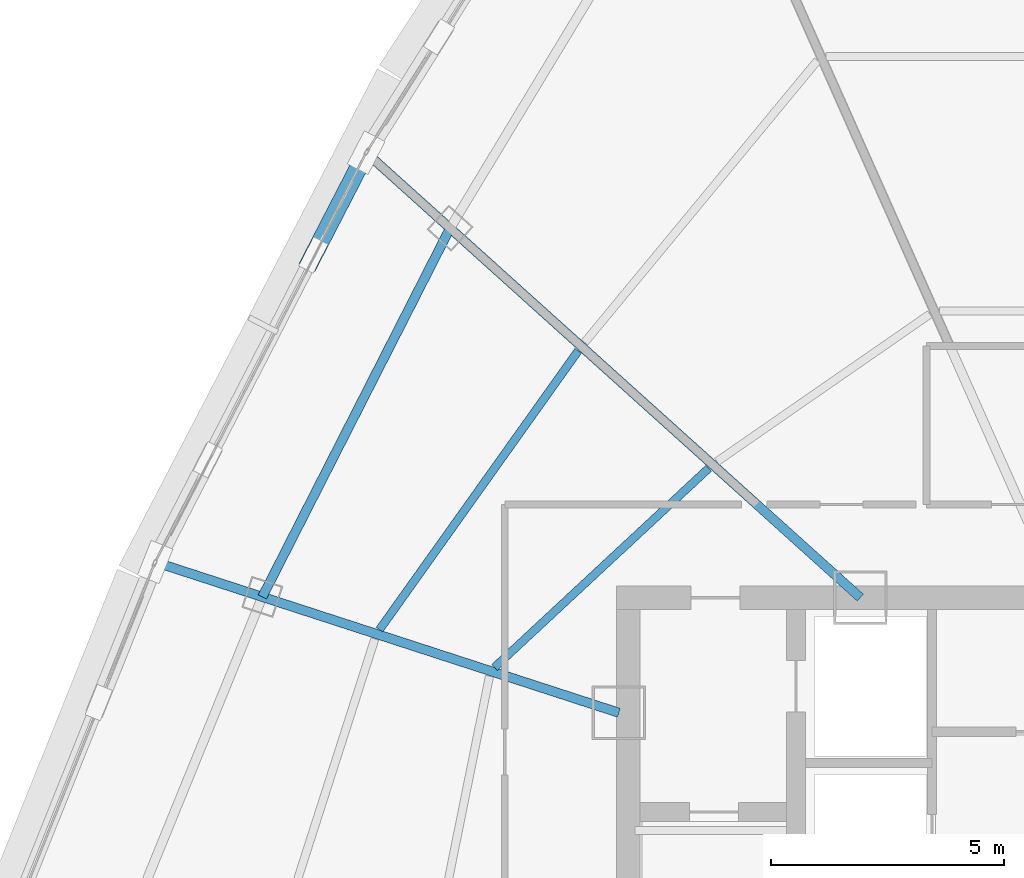
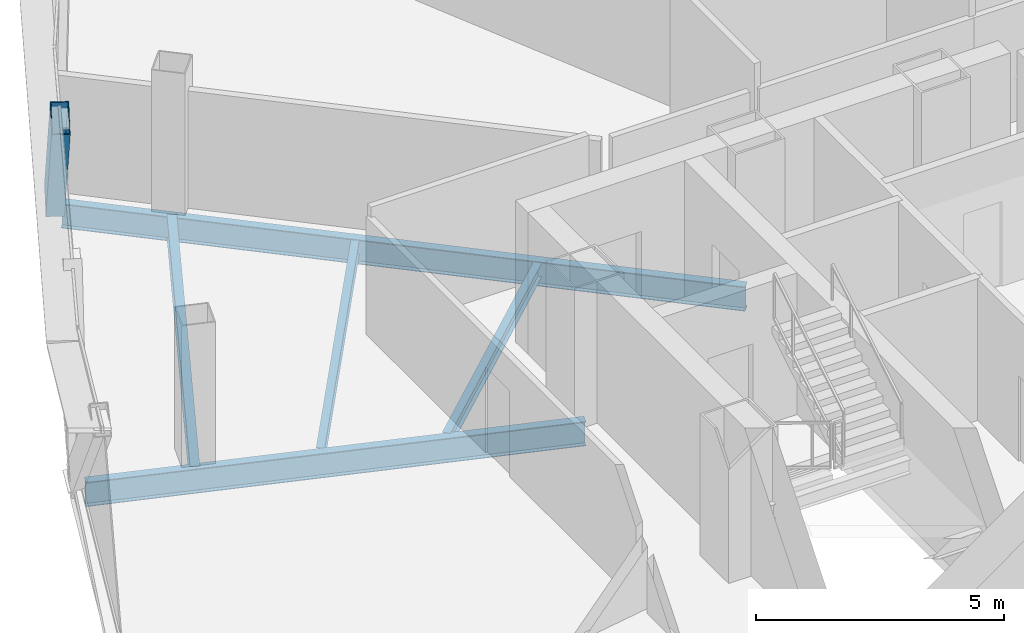
# One storey, part 8 of 30: 5 beams, 1 member.
"""IFC4 building model written with IfcOpenShell, lengths in metres."""

from ifc_helpers import new_model, si_unit, direction, frame, origin, origin_2d, place, context, subcontext, project, spatial, hollow_rectangle, i_section, extrude, source, transform, mapped, material, material_profile, profile_set, type_object, element, save


model = new_model("IFC4")

# Units and contexts
model_context = context("Model", 3, precision=1e-05, world=origin(), true_north=direction((0.0, 1.0)))
body_context = subcontext(model_context, "Body", "Model", "MODEL_VIEW")
ifc_project = project(units=[si_unit("LENGTHUNIT", "METRE"), si_unit("AREAUNIT", "SQUARE_METRE"), si_unit("VOLUMEUNIT", "CUBIC_METRE"), si_unit("PLANEANGLEUNIT", "RADIAN"), si_unit("MASSUNIT", "GRAM", prefix="KILO"), si_unit("THERMODYNAMICTEMPERATUREUNIT", "KELVIN"), si_unit("POWERUNIT", "WATT")], contexts=[model_context])

# Site, building, storey
site_placement = place(None, origin())
site = spatial("IfcSite", under=ifc_project, at=site_placement, CompositionType="ELEMENT")
building_placement = place(site_placement, origin())
building = spatial("IfcBuilding", under=site, at=building_placement, Name="Yunzhuo Pagoda Commons", CompositionType="ELEMENT")
storey_placement = place(building_placement, frame((0.0, 0.0, 351.760009765625)))
storey = spatial("IfcBuildingStorey", under=building, at=storey_placement, Name="L88", CompositionType="ELEMENT", Elevation=351.760009765625)

# Beams
ifc_material = material(Name="Structural steel Q355B", Category="steel")
ifc_material_profile_1 = material_profile(ifc_material, i_section(OverallWidth=0.199951171875, OverallDepth=0.60009765625, WebThickness=0.010986328125, FlangeThickness=0.01708984375, at=origin_2d()), Name="Structural steel Q355B")
ifc_profile_set_1 = profile_set([ifc_material_profile_1], Name="Structural steel Q355B")
beam_type_1 = type_object("IfcBeamType", Name="B-RG3 Beam HN 600x200x11x17", PredefinedType="BEAM", material=ifc_profile_set_1)
shared_shape_1 = source(origin(), body_context, "Body", "SweptSolid", [
    extrude(i_section(OverallWidth=0.199951171875, OverallDepth=0.60009765625, WebThickness=0.010986328125, FlangeThickness=0.01708984375, at=origin_2d()), origin(), (0.0, 0.0, 1.0), 8.87939453125),
])
beam_1_placement = place(storey_placement, frame((31.975341796875, 48.128662109375, -0.56005859375), z_axis=(-0.453723535687, -0.891142498798, 0.0), x_axis=(0.891142498798, -0.453723535687, 0.0)))
element("IfcBeam", 1, at=beam_1_placement, inside=storey, type_object=beam_type_1, Name="L88 column-ring beam 10", PredefinedType="BEAM", context=body_context, shape_type="MappedRepresentation", body=[
    mapped(shared_shape_1, transform((0.0, 0.0, 0.0), scale=1.0)),
])
ifc_material_profile_2 = material_profile(ifc_material, i_section(OverallWidth=0.175048828125, OverallDepth=0.35009765625, WebThickness=0.007080078125, FlangeThickness=0.010986328125, at=origin_2d()), Name="Structural steel Q355B")
ifc_profile_set_2 = profile_set([ifc_material_profile_2], Name="Structural steel Q355B")
beam_type_2 = type_object("IfcBeamType", Name="B-JS2 Joist HN 350x175x7x11", PredefinedType="JOIST", material=ifc_profile_set_2)
shared_shape_2 = source(origin(), body_context, "Body", "SweptSolid", [
    extrude(i_section(OverallWidth=0.175048828125, OverallDepth=0.35009765625, WebThickness=0.007080078125, FlangeThickness=0.010986328125, at=origin_2d()), origin(), (0.0, 0.0, 1.0), 6.277099609375),
])
beam_2_placement = place(storey_placement, frame((37.526611328125, 42.97607421875, -0.43505859375), z_axis=(-0.73244154109, -0.68082992655, 0.0), x_axis=(0.68082992655, -0.73244154109, 0.0)))
element("IfcBeam", 2, at=beam_2_placement, inside=storey, type_object=beam_type_2, Name="L88 composite ring joist 1.10", PredefinedType="JOIST", context=body_context, shape_type="MappedRepresentation", body=[
    mapped(shared_shape_2, transform((0.0, 0.0, 0.0), scale=1.0)),
])
shared_shape_3 = source(origin(), body_context, "Body", "SweptSolid", [
    extrude(i_section(OverallWidth=0.175048828125, OverallDepth=0.35009765625, WebThickness=0.007080078125, FlangeThickness=0.010986328125, at=origin_2d()), origin(), (0.0, 0.0, 1.0), 7.347900390625),
])
beam_3_placement = place(storey_placement, frame((34.726318359375, 45.497802734375, -0.43505859375), z_axis=(-0.580294898948, -0.814406428177, 0.0), x_axis=(0.814406428177, -0.580294898948, 0.0)))
element("IfcBeam", 3, at=beam_3_placement, inside=storey, type_object=beam_type_2, Name="L88 composite ring joist 2.10", PredefinedType="JOIST", context=body_context, shape_type="MappedRepresentation", body=[
    mapped(shared_shape_3, transform((0.0, 0.0, 0.0), scale=1.0)),
])
shared_shape_4 = source(origin(), body_context, "Body", "SweptSolid", [
    extrude(i_section(OverallWidth=0.199951171875, OverallDepth=0.60009765625, WebThickness=0.010986328125, FlangeThickness=0.01708984375, at=origin_2d()), origin(), (0.0, 0.0, 1.0), 10.31103515625),
])
beam_4_placement = place(storey_placement, frame((25.793701171875, 40.915283203125, -0.56005859375), z_axis=(0.951056860321, -0.30901593557, 0.0), x_axis=(0.30901593557, 0.951056860321, 0.0)))
element("IfcBeam", 4, at=beam_4_placement, inside=storey, type_object=beam_type_1, Name="L88 radial floor girder F3C3", PredefinedType="BEAM", context=body_context, shape_type="MappedRepresentation", body=[
    mapped(shared_shape_4, transform((0.0, 0.0, 0.0), scale=1.0)),
])
shared_shape_5 = source(origin(), body_context, "Body", "SweptSolid", [
    extrude(i_section(OverallWidth=0.199951171875, OverallDepth=0.60009765625, WebThickness=0.010986328125, FlangeThickness=0.01708984375, at=origin_2d()), origin(), (0.0, 0.0, 1.0), 14.115966796875),
])
beam_5_placement = place(storey_placement, frame((30.291015625, 49.6455078125, -0.56005859375), z_axis=(0.743133305814, -0.66914340002, 0.0), x_axis=(0.66914340002, 0.743133305814, 0.0)))
element("IfcBeam", 5, at=beam_5_placement, inside=storey, type_object=beam_type_1, Name="L88 radial floor girder F3C2", PredefinedType="BEAM", context=body_context, shape_type="MappedRepresentation", body=[
    mapped(shared_shape_5, transform((0.0, 0.0, 0.0), scale=1.0)),
])

# Member
ifc_material_profile_3 = material_profile(ifc_material, hollow_rectangle(XDim=0.3798828125, YDim=0.719970703125, WallThickness=0.02001953125, at=origin_2d()), Name="Structural steel Q355B")
ifc_profile_set_3 = profile_set([ifc_material_profile_3], Name="Structural steel Q355B")
member_type = type_object("IfcMemberType", Name="M-DL3 Brace BOX 720x380x20", PredefinedType="BRACE", material=ifc_profile_set_3)
shared_shape_6 = source(origin(), body_context, "Body", "SweptSolid", [
    extrude(hollow_rectangle(XDim=0.3798828125, YDim=0.719970703125, WallThickness=0.02001953125, at=origin_2d()), origin(), (0.0, 0.0, 1.0), 4.490966796875),
])
member_placement = place(storey_placement, frame((30.175537109375, 49.749267578125, -0.260009765625), z_axis=(-0.252129772471, -0.489092618138, 0.834996400422), x_axis=(0.888846548799, -0.458204989811, 0.0)))
element("IfcMember", 6, at=member_placement, inside=storey, type_object=member_type, Name="L88 facade diamond brace F3.2L", PredefinedType="BRACE", context=body_context, shape_type="MappedRepresentation", body=[
    mapped(shared_shape_6, transform((0.0, 0.0, 0.0), scale=1.0)),
])

save(model, "model.ifc")
